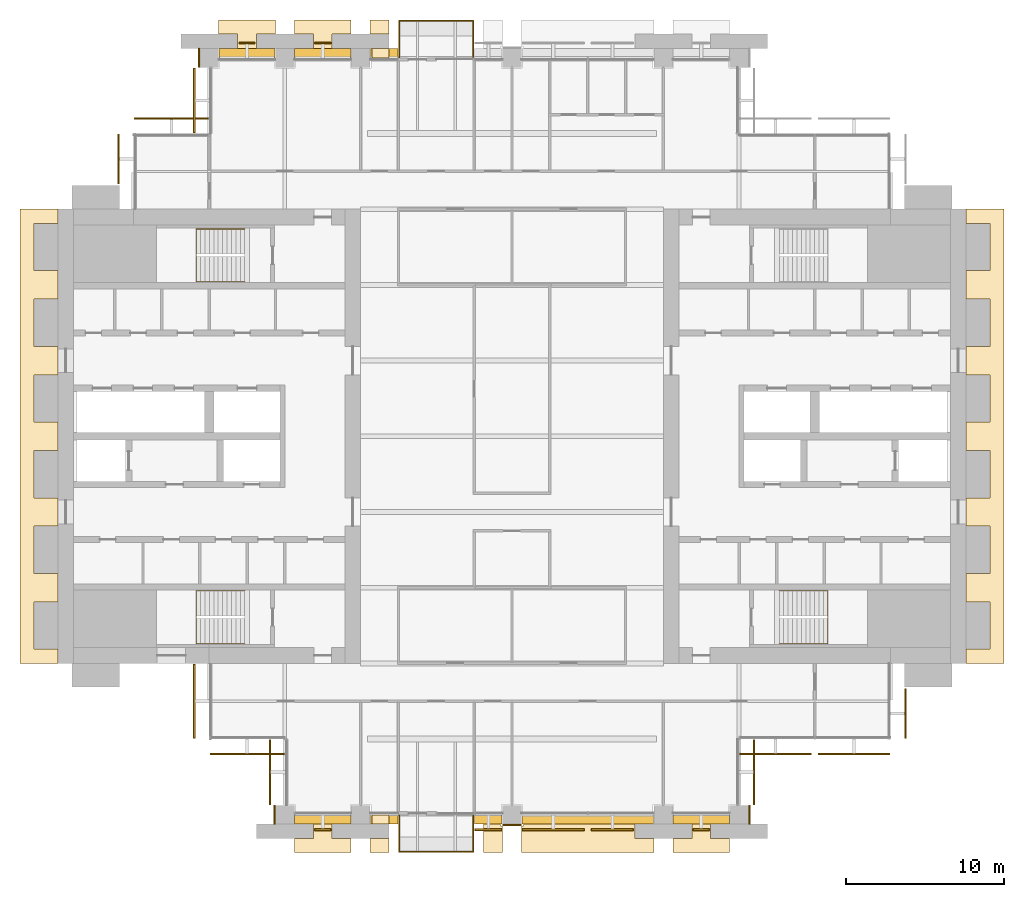
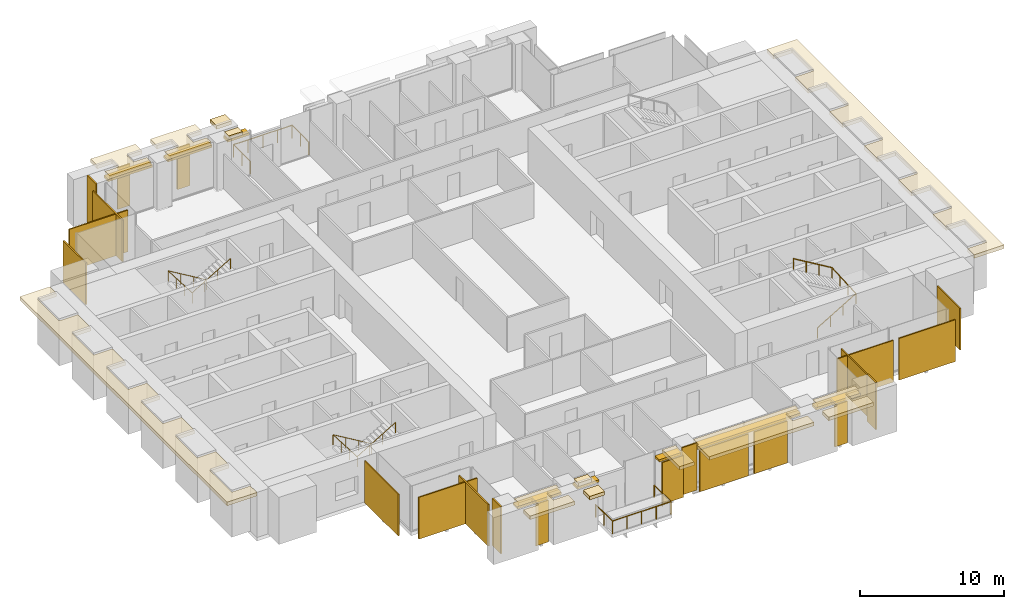
# One storey, part 14 of 15: 33 coverings, 8 shading devices, 5 railings.
"""IFC4 building model written with IfcOpenShell, lengths in metres."""

import ifcopenshell
import ifcopenshell.guid

model = None  # the IFC model being written
_history = None  # IfcOwnerHistory: only IFC2X3 demands one
_inside = {}  # id of a spatial element -> (the spatial element, [elements in it])
_under = {}  # id of a project, library or spatial element -> (it, [spatial elements below it])
_declared = {}  # id of a project -> (the project, [libraries it declares])
_typed = {}  # id of a type object -> (the type object, [elements of that type])
_made_of = {}  # id of a material, layer set ... -> (it, [elements and type objects made of it])


def new_model(schema):
    """Start an empty IFC model of exactly this schema.

    Asked for "IFC4X3", IfcOpenShell would pick the latest addendum, in which some entities
    have other attributes; the version numbers below select the first issue.
    IFC2X3 requires an IfcOwnerHistory on every rooted entity: one is made here for all.
    """
    global model, _history
    if schema == "IFC4X3":
        model = ifcopenshell.file(schema_version=(4, 3, 0, 0))
    else:
        model = ifcopenshell.file(schema=schema)
    _inside.clear()
    _under.clear()
    _declared.clear()
    _typed.clear()
    _made_of.clear()
    _history = None
    if model.schema == "IFC2X3":
        org = make("IfcOrganization", Name="unknown")
        user = make(
            "IfcPersonAndOrganization",
            ThePerson=make("IfcPerson", FamilyName="unknown"),
            TheOrganization=org,
        )
        app = make(
            "IfcApplication",
            ApplicationDeveloper=org,
            Version="unknown",
            ApplicationFullName="unknown",
            ApplicationIdentifier="unknown",
        )
        _history = make(
            "IfcOwnerHistory",
            OwningUser=user,
            OwningApplication=app,
            ChangeAction="ADDED",
            CreationDate=0,
        )
    return model


def make(cls, **values):
    """One entity of the class cls with the attributes given. An attribute that is None is left unset."""
    return model.create_entity(
        cls, **{name: value for name, value in values.items() if value is not None}
    )


def rooted(cls, **values):
    """An entity with a GlobalId (a new one), such as an element, a storey or a relation."""
    return make(cls, GlobalId=ifcopenshell.guid.new(), OwnerHistory=_history, **values)


def si_unit(unit_type, name, prefix=None):
    """IfcSIUnit, for example si_unit("LENGTHUNIT", "METRE", prefix="MILLI")."""
    return make("IfcSIUnit", UnitType=unit_type, Prefix=prefix, Name=name)


def assignment(units):
    """IfcUnitAssignment: the units of a project."""
    return None if units is None else make("IfcUnitAssignment", Units=units)


def point(xyz):
    """IfcCartesianPoint."""
    return None if xyz is None else make("IfcCartesianPoint", Coordinates=xyz)


def direction(xyz):
    """IfcDirection."""
    return None if xyz is None else make("IfcDirection", DirectionRatios=xyz)


def frame(location, z_axis=None, x_axis=None):
    """IfcAxis2Placement3D, a coordinate frame: its origin and axes. An axis left out is left unset."""
    return make(
        "IfcAxis2Placement3D",
        Location=point(location),
        Axis=direction(z_axis),
        RefDirection=direction(x_axis),
    )


def frame_2d(location, x_axis=None):
    """IfcAxis2Placement2D, a coordinate frame in the plane: its origin and x axis."""
    return make(
        "IfcAxis2Placement2D", Location=point(location), RefDirection=direction(x_axis)
    )


def origin():
    """The frame at (0, 0, 0) with its axes left unset."""
    return frame((0.0, 0.0, 0.0))


def origin_2d():
    """The frame at (0, 0) in the plane with its x axis left unset."""
    return frame_2d((0.0, 0.0))


def place(relative_to, where):
    """IfcLocalPlacement: puts the frame where relative to a parent placement (None: the world)."""
    return make(
        "IfcLocalPlacement", PlacementRelTo=relative_to, RelativePlacement=where
    )


def context(
    kind, dimensions, precision=None, world=None, true_north=None, identifier=None
):
    """IfcGeometricRepresentationContext, for example the 3D "Model" context."""
    return make(
        "IfcGeometricRepresentationContext",
        ContextIdentifier=identifier,
        ContextType=kind,
        CoordinateSpaceDimension=dimensions,
        Precision=precision,
        WorldCoordinateSystem=world,
        TrueNorth=true_north,
    )


def subcontext(parent, identifier, kind, view, scale=None):
    """IfcGeometricRepresentationSubContext, for example "Body" below "Model"."""
    return make(
        "IfcGeometricRepresentationSubContext",
        ContextIdentifier=identifier,
        ContextType=kind,
        ParentContext=parent,
        TargetScale=scale,
        TargetView=view,
    )


def project(units=None, contexts=None):
    """IfcProject with its units and contexts."""
    return rooted(
        "IfcProject",
        Name="project",
        RepresentationContexts=contexts,
        UnitsInContext=assignment(units),
    )


def spatial(cls, under=None, at=None, **own):
    """A site, building, storey or space (cls), placed at a placement, below another one or the project."""
    s = rooted(cls, ObjectPlacement=at, **own)
    if under is not None:
        _under.setdefault(under.id(), (under, []))[1].append(s)
    return s


def polyline(points):
    """IfcPolyline through the points."""
    return make("IfcPolyline", Points=[point(p) for p in points])


def profile(cls, at=None, kind="AREA", **sizes):
    """A parametric profile (cls). Its sizes go by their IFC names, for example OverallWidth=200.0."""
    return make(cls, ProfileType=kind, Position=at, **sizes)


def rectangle(**sizes):
    """IfcRectangleProfileDef."""
    return profile("IfcRectangleProfileDef", **sizes)


def circle(**sizes):
    """IfcCircleProfileDef."""
    return profile("IfcCircleProfileDef", **sizes)


def outline(outer, holes=None, kind="AREA"):
    """IfcArbitraryClosedProfileDef: a profile drawn as a closed curve; with holes, ...WithVoids."""
    if holes is None:
        return make("IfcArbitraryClosedProfileDef", ProfileType=kind, OuterCurve=outer)
    return make(
        "IfcArbitraryProfileDefWithVoids",
        ProfileType=kind,
        OuterCurve=outer,
        InnerCurves=holes,
    )


def extrude(swept, where, along, depth):
    """IfcExtrudedAreaSolid: the profile swept, set in the frame where, extruded along a direction by depth."""
    return make(
        "IfcExtrudedAreaSolid",
        SweptArea=swept,
        Position=where,
        ExtrudedDirection=direction(along),
        Depth=depth,
    )


def shape(context_of_items, identifier, shape_type, items):
    """IfcShapeRepresentation: the items that make up one representation, for example the "Body"."""
    return make(
        "IfcShapeRepresentation",
        ContextOfItems=context_of_items,
        RepresentationIdentifier=identifier,
        RepresentationType=shape_type,
        Items=items,
    )


def material(Name=None, Category=None):
    """IfcMaterial."""
    return make("IfcMaterial", Name=Name, Category=Category)


def layer(
    of_material, thickness, ventilated=None, Name=None, Category=None, Priority=None
):
    """IfcMaterialLayer: one layer of a wall or slab, of a material (None: an air gap)."""
    return make(
        "IfcMaterialLayer",
        Material=of_material,
        LayerThickness=thickness,
        IsVentilated=ventilated,
        Name=Name,
        Category=Category,
        Priority=Priority,
    )


def layer_set(layers, Name=None):
    """IfcMaterialLayerSet."""
    return make("IfcMaterialLayerSet", MaterialLayers=layers, LayerSetName=Name)


def made_of(thing, what):
    """Note that an element or type object is made of a material, layer set ...; save() writes the relation."""
    if what is not None:
        _made_of.setdefault(what.id(), (what, []))[1].append(thing)
    return thing


def type_object(cls, material=None, **own):
    """A type object (cls), such as IfcWallType, which elements share."""
    return made_of(rooted(cls, **own), material)


def element(
    cls,
    number,
    at=None,
    inside=None,
    cuts=None,
    type_object=None,
    material=None,
    context=None,
    identifier="Body",
    shape_type=None,
    held_by="IfcProductDefinitionShape",
    body=None,
    shapes=None,
    **own,
):
    """One element of the class cls, such as IfcWall. Its Tag is "e" and its number.

    at: its placement. inside: the storey or other place that contains it. cuts: it is an
    opening in that element (IfcRelVoidsElement). A single representation is given by context,
    identifier, shape_type and body (its items); several are given by shapes. held_by: the class
    of the entity that holds the representations. save() writes the other relations.
    """
    e = rooted(cls, Tag="e%d" % number, ObjectPlacement=at, **own)
    if body is not None:
        shapes = [shape(context, identifier, shape_type, body)]
    if shapes is not None:
        e.Representation = make(held_by, Representations=shapes)
    if inside is not None:
        _inside.setdefault(inside.id(), (inside, []))[1].append(e)
    if cuts is not None:
        rooted(
            "IfcRelVoidsElement", RelatingBuildingElement=cuts, RelatedOpeningElement=e
        )
    if type_object is not None:
        _typed.setdefault(type_object.id(), (type_object, []))[1].append(e)
    return made_of(e, material)


def aggregate(whole, parts):
    """IfcRelAggregates: a whole, such as a stair, and the parts it consists of."""
    return rooted("IfcRelAggregates", RelatingObject=whole, RelatedObjects=parts)


def save(model, path):
    """Write the relations noted so far, then the file.

    IfcRelAggregates (storeys below a building ...), IfcRelContainedInSpatialStructure (elements
    in a storey), IfcRelDefinesByType, IfcRelAssociatesMaterial and IfcRelDeclares: one each for
    every whole, place, type object, material and project.
    """
    for whole, parts in _under.values():
        aggregate(whole, parts)
    for where, things in _inside.values():
        rooted(
            "IfcRelContainedInSpatialStructure",
            RelatedElements=things,
            RelatingStructure=where,
        )
    for kind, things in _typed.values():
        rooted("IfcRelDefinesByType", RelatedObjects=things, RelatingType=kind)
    for what, things in _made_of.values():
        rooted("IfcRelAssociatesMaterial", RelatedObjects=things, RelatingMaterial=what)
    for by, libraries in _declared.values():
        rooted("IfcRelDeclares", RelatingContext=by, RelatedDefinitions=libraries)
    model.write(path)


model = new_model("IFC4")

# Units and contexts
model_context = context("Model", 3, precision=1e-05, world=origin(), true_north=direction((0.0, 1.0)))
body_context = subcontext(model_context, "Body", "Model", "MODEL_VIEW")
ifc_project = project(units=[si_unit("LENGTHUNIT", "METRE"), si_unit("AREAUNIT", "SQUARE_METRE"), si_unit("VOLUMEUNIT", "CUBIC_METRE"), si_unit("PLANEANGLEUNIT", "RADIAN"), si_unit("MASSUNIT", "GRAM", prefix="KILO")], contexts=[model_context])

# Site, building, storey
site_placement = place(None, origin())
site = spatial("IfcSite", under=ifc_project, at=site_placement, CompositionType="ELEMENT")
building_placement = place(site_placement, origin())
building = spatial("IfcBuilding", under=site, at=building_placement, Name="Baori Bourse Tower", CompositionType="ELEMENT")
storey_placement = place(building_placement, frame((0.0, 0.0, 104.10009765625)))
storey = spatial("IfcBuildingStorey", under=building, at=storey_placement, Name="L21", CompositionType="ELEMENT", Elevation=104.10009765625)

# Coverings
ifc_material_1 = material(Name="Pale anodised aluminium", Category="aluminium")
covering_type_1 = type_object("IfcCoveringType", Name="BD1 Pale metal band", PredefinedType="CLADDING", material=ifc_material_1)
covering_1_placement = place(storey_placement, frame((0.0, 0.0, 3.539794921875)))
element("IfcCovering", 1, at=covering_1_placement, inside=storey, type_object=covering_type_1, Name="Pale projecting band L21 1", PredefinedType="CLADDING", context=body_context, shape_type="SweptSolid", body=[
    extrude(outline(polyline([(57.60009765625, 10.5), (57.60009765625, 9.60009765625), (60.0, 9.60009765625), (60.0, 38.39990234375), (57.60009765625, 38.39990234375), (57.60009765625, 37.5), (59.10009765625, 37.5), (59.10009765625, 34.5), (57.60009765625, 34.5), (57.60009765625, 32.699951171875), (59.10009765625, 32.699951171875), (59.10009765625, 29.699951171875), (57.60009765625, 29.699951171875), (57.60009765625, 27.89990234375), (59.10009765625, 27.89990234375), (59.10009765625, 24.89990234375), (57.60009765625, 24.89990234375), (57.60009765625, 23.10009765625), (59.10009765625, 23.10009765625), (59.10009765625, 20.10009765625), (57.60009765625, 20.10009765625), (57.60009765625, 18.300048828125), (59.10009765625, 18.300048828125), (59.10009765625, 15.300048828125), (57.60009765625, 15.300048828125), (57.60009765625, 13.5), (59.10009765625, 13.5), (59.10009765625, 10.5), (57.60009765625, 10.5)])), origin(), (0.0, 0.0, 1.0), 0.300048828125),
])
covering_2_placement = place(storey_placement, frame((0.0, 0.0, 3.539794921875)))
element("IfcCovering", 2, at=covering_2_placement, inside=storey, type_object=covering_type_1, Name="Pale projecting band L21 5", PredefinedType="CLADDING", context=body_context, shape_type="SweptSolid", body=[
    extrude(outline(polyline([(19.800048828125, 50.39990234375), (19.800048828125, 49.5), (21.0, 49.5), (21.0, 50.39990234375), (19.800048828125, 50.39990234375)])), origin(), (0.0, 0.0, 1.0), 0.300048828125),
])
covering_3_placement = place(storey_placement, frame((0.0, 0.0, 3.539794921875)))
element("IfcCovering", 3, at=covering_3_placement, inside=storey, type_object=covering_type_1, Name="Pale projecting band L21 6", PredefinedType="CLADDING", context=body_context, shape_type="SweptSolid", body=[
    extrude(outline(polyline([(19.919921875, 48.0), (21.0, 48.0), (21.0, 48.60009765625), (19.919921875, 48.60009765625), (19.919921875, 48.0)])), origin(), (0.0, 0.0, 1.0), 0.300048828125),
])
covering_4_placement = place(storey_placement, frame((0.0, 0.0, 3.539794921875)))
element("IfcCovering", 4, at=covering_4_placement, inside=storey, type_object=covering_type_1, Name="Pale projecting band L21 7", PredefinedType="CLADDING", context=body_context, shape_type="SweptSolid", body=[
    extrude(outline(polyline([(15.1201171875, 48.0), (18.47998046875, 48.0), (18.47998046875, 48.60009765625), (17.39990234375, 48.60009765625), (17.39990234375, 49.5), (18.60009765625, 49.5), (18.60009765625, 50.39990234375), (15.0, 50.39990234375), (15.0, 49.5), (16.199951171875, 49.5), (16.199951171875, 48.60009765625), (15.1201171875, 48.60009765625), (15.1201171875, 48.0)])), origin(), (0.0, 0.0, 1.0), 0.300048828125),
])
covering_5_placement = place(storey_placement, frame((0.0, 0.0, 3.539794921875)))
element("IfcCovering", 5, at=covering_5_placement, inside=storey, type_object=covering_type_1, Name="Pale projecting band L21 8", PredefinedType="CLADDING", context=body_context, shape_type="SweptSolid", body=[
    extrude(outline(polyline([(10.320068359375, 48.0), (13.679931640625, 48.0), (13.679931640625, 48.60009765625), (12.60009765625, 48.60009765625), (12.60009765625, 49.5), (13.800048828125, 49.5), (13.800048828125, 50.39990234375), (10.199951171875, 50.39990234375), (10.199951171875, 49.5), (11.39990234375, 49.5), (11.39990234375, 48.60009765625), (10.320068359375, 48.60009765625), (10.320068359375, 48.0)])), origin(), (0.0, 0.0, 1.0), 0.300048828125),
])
covering_6_placement = place(storey_placement, frame((0.0, 0.0, 3.539794921875)))
element("IfcCovering", 6, at=covering_6_placement, inside=storey, type_object=covering_type_1, Name="Pale projecting band L21 9", PredefinedType="CLADDING", context=body_context, shape_type="SweptSolid", body=[
    extrude(outline(polyline([(0.0, 37.5), (0.0, 38.39990234375), (-2.39990234375, 38.39990234375), (-2.39990234375, 9.60009765625), (0.0, 9.60009765625), (0.0, 10.5), (-1.5, 10.5), (-1.5, 13.5), (0.0, 13.5), (0.0, 15.300048828125), (-1.5, 15.300048828125), (-1.5, 18.300048828125), (0.0, 18.300048828125), (0.0, 20.10009765625), (-1.5, 20.10009765625), (-1.5, 23.10009765625), (0.0, 23.10009765625), (0.0, 24.89990234375), (-1.5, 24.89990234375), (-1.5, 27.89990234375), (0.0, 27.89990234375), (0.0, 29.699951171875), (-1.5, 29.699951171875), (-1.5, 32.699951171875), (0.0, 32.699951171875), (0.0, 34.5), (-1.5, 34.5), (-1.5, 37.5), (0.0, 37.5)])), origin(), (0.0, 0.0, 1.0), 0.300048828125),
])
covering_7_placement = place(storey_placement, frame((0.0, 0.0, 3.539794921875)))
element("IfcCovering", 7, at=covering_7_placement, inside=storey, type_object=covering_type_1, Name="Pale projecting band L21 10", PredefinedType="CLADDING", context=body_context, shape_type="SweptSolid", body=[
    extrude(outline(polyline([(18.47998046875, 0.0), (15.1201171875, 0.0), (15.1201171875, -0.60009765625), (16.199951171875, -0.60009765625), (16.199951171875, -1.5), (15.0, -1.5), (15.0, -2.39990234375), (18.60009765625, -2.39990234375), (18.60009765625, -1.5), (17.39990234375, -1.5), (17.39990234375, -0.60009765625), (18.47998046875, -0.60009765625), (18.47998046875, 0.0)])), origin(), (0.0, 0.0, 1.0), 0.300048828125),
])
covering_8_placement = place(storey_placement, frame((0.0, 0.0, 3.539794921875)))
element("IfcCovering", 8, at=covering_8_placement, inside=storey, type_object=covering_type_1, Name="Pale projecting band L21 11", PredefinedType="CLADDING", context=body_context, shape_type="SweptSolid", body=[
    extrude(outline(polyline([(19.800048828125, -2.39990234375), (21.0, -2.39990234375), (21.0, -1.5), (19.800048828125, -1.5), (19.800048828125, -2.39990234375)])), origin(), (0.0, 0.0, 1.0), 0.300048828125),
])
covering_9_placement = place(storey_placement, frame((0.0, 0.0, 3.539794921875)))
element("IfcCovering", 9, at=covering_9_placement, inside=storey, type_object=covering_type_1, Name="Pale projecting band L21 12", PredefinedType="CLADDING", context=body_context, shape_type="SweptSolid", body=[
    extrude(outline(polyline([(21.0, 0.0), (19.919921875, 0.0), (19.919921875, -0.60009765625), (21.0, -0.60009765625), (21.0, 0.0)])), origin(), (0.0, 0.0, 1.0), 0.300048828125),
])
covering_10_placement = place(storey_placement, frame((0.0, 0.0, 3.539794921875)))
element("IfcCovering", 10, at=covering_10_placement, inside=storey, type_object=covering_type_1, Name="Pale projecting band L21 13", PredefinedType="CLADDING", context=body_context, shape_type="SweptSolid", body=[
    extrude(outline(polyline([(28.080078125, 0.0), (27.0, 0.0), (27.0, -2.39990234375), (28.199951171875, -2.39990234375), (28.199951171875, -0.719970703125), (28.080078125, -0.719970703125), (28.080078125, 0.0)])), origin(), (0.0, 0.0, 1.0), 0.300048828125),
])
covering_11_placement = place(storey_placement, frame((0.0, 0.0, 3.539794921875)))
element("IfcCovering", 11, at=covering_11_placement, inside=storey, type_object=covering_type_1, Name="Pale projecting band L21 14", PredefinedType="CLADDING", context=body_context, shape_type="SweptSolid", body=[
    extrude(outline(polyline([(37.679931640625, 0.0), (29.52001953125, 0.0), (29.52001953125, -0.719970703125), (29.39990234375, -0.719970703125), (29.39990234375, -2.39990234375), (37.800048828125, -2.39990234375), (37.800048828125, -1.5), (36.60009765625, -1.5), (36.60009765625, -0.60009765625), (37.679931640625, -0.60009765625), (37.679931640625, 0.0)])), origin(), (0.0, 0.0, 1.0), 0.300048828125),
])
covering_12_placement = place(storey_placement, frame((0.0, 0.0, 3.539794921875)))
element("IfcCovering", 12, at=covering_12_placement, inside=storey, type_object=covering_type_1, Name="Pale projecting band L21 15", PredefinedType="CLADDING", context=body_context, shape_type="SweptSolid", body=[
    extrude(outline(polyline([(42.47998046875, 0.0), (39.1201171875, 0.0), (39.1201171875, -0.60009765625), (40.199951171875, -0.60009765625), (40.199951171875, -1.5), (39.0, -1.5), (39.0, -2.39990234375), (42.60009765625, -2.39990234375), (42.60009765625, -1.5), (41.39990234375, -1.5), (41.39990234375, -0.60009765625), (42.47998046875, -0.60009765625), (42.47998046875, 0.0)])), origin(), (0.0, 0.0, 1.0), 0.300048828125),
])

# Shading devices
ifc_material_2 = material(Name="Concrete f'c 40 MPa", Category="concrete")
ifc_layer_1 = layer(ifc_material_2, 0.199951171875)
ifc_layer_set_1 = layer_set([ifc_layer_1], Name="BS1 Brise-soleil ledge")
shading_device_type = type_object("IfcShadingDeviceType", Name="BS1 Brise-soleil ledge", PredefinedType="USERDEFINED", material=ifc_layer_set_1)
shading_device_1_placement = place(storey_placement, frame((20.699951171875, 48.300048828125, 3.33984375), z_axis=(0.0, 0.0, 1.0), x_axis=(-1.0, 0.0, 0.0)))
element("IfcShadingDevice", 13, at=shading_device_1_placement, inside=storey, type_object=shading_device_type, Name="Brise-soleil ledge L21 4", ObjectType="BRISE SOLEIL", PredefinedType="USERDEFINED", context=body_context, shape_type="SweptSolid", body=[
    extrude(rectangle(XDim=1.760009765625, YDim=0.60009765625, at=origin_2d()), origin(), (0.0, 0.0, 1.0), 0.199951171875),
])
for number, where, z_axis, x_axis, name in (
    (14, (16.800048828125, 48.300048828125, 3.33984375), (0.0, 0.0, 1.0), (-1.0, 0.0, 0.0), "Brise-soleil ledge L21 5"),
    (15, (12.0, 48.300048828125, 3.33984375), (0.0, 0.0, 1.0), (-1.0, 0.0, 0.0), "Brise-soleil ledge L21 6"),
    (16, (16.800048828125, -0.300048828125, 3.33984375), (0.0, 0.0, 1.0), (1.0, 0.0, 0.0), "Brise-soleil ledge L21 7"),
):
    element("IfcShadingDevice", number, at=place(storey_placement, frame(where, z_axis=z_axis, x_axis=x_axis)), inside=storey, type_object=shading_device_type, Name=name, ObjectType="BRISE SOLEIL", PredefinedType="USERDEFINED", context=body_context, shape_type="SweptSolid", body=[
        extrude(rectangle(XDim=3.56005859375, YDim=0.60009765625, at=origin_2d()), origin(), (0.0, 0.0, 1.0), 0.199951171875),
    ])
for number, where, z_axis, x_axis, name in (
    (17, (20.699951171875, -0.300048828125, 3.33984375), (0.0, 0.0, 1.0), (1.0, 0.0, 0.0), "Brise-soleil ledge L21 8"),
    (18, (27.300048828125, -0.300048828125, 3.33984375), (0.0, 0.0, 1.0), (1.0, 0.0, 0.0), "Brise-soleil ledge L21 9"),
):
    element("IfcShadingDevice", number, at=place(storey_placement, frame(where, z_axis=z_axis, x_axis=x_axis)), inside=storey, type_object=shading_device_type, Name=name, ObjectType="BRISE SOLEIL", PredefinedType="USERDEFINED", context=body_context, shape_type="SweptSolid", body=[
        extrude(rectangle(XDim=1.760009765625, YDim=0.60009765625, at=origin_2d()), origin(), (0.0, 0.0, 1.0), 0.199951171875),
    ])
shading_device_2_placement = place(storey_placement, frame((33.60009765625, -0.300048828125, 3.33984375), z_axis=(0.0, 0.0, 1.0), x_axis=(1.0, 0.0, 0.0)))
element("IfcShadingDevice", 19, at=shading_device_2_placement, inside=storey, type_object=shading_device_type, Name="Brise-soleil ledge L21 10", ObjectType="BRISE SOLEIL", PredefinedType="USERDEFINED", context=body_context, shape_type="SweptSolid", body=[
    extrude(rectangle(XDim=8.360107421875, YDim=0.60009765625, at=origin_2d()), origin(), (0.0, 0.0, 1.0), 0.199951171875),
])
shading_device_3_placement = place(storey_placement, frame((40.800048828125, -0.300048828125, 3.33984375), z_axis=(0.0, 0.0, 1.0), x_axis=(1.0, 0.0, 0.0)))
element("IfcShadingDevice", 20, at=shading_device_3_placement, inside=storey, type_object=shading_device_type, Name="Brise-soleil ledge L21 11", ObjectType="BRISE SOLEIL", PredefinedType="USERDEFINED", context=body_context, shape_type="SweptSolid", body=[
    extrude(rectangle(XDim=3.56005859375, YDim=0.60009765625, at=origin_2d()), origin(), (0.0, 0.0, 1.0), 0.199951171875),
])

# Railings
ifc_material_3 = material(Name="Powder-coated steel balustrade", Category="steel")
railing_type_1 = type_object("IfcRailingType", Name="Core stair handrail", PredefinedType="HANDRAIL", material=ifc_material_3)
railing_1_placement = place(storey_placement, frame((11.85009765625, 14.199951171875, 0.16650390625)))
element("IfcRailing", 21, at=railing_1_placement, inside=storey, type_object=railing_type_1, Name="L21 ST1 stair handrail 1", PredefinedType="HANDRAIL", context=body_context, shape_type="SweptSolid", body=[
    extrude(circle(Radius=0.02392578125, at=origin_2d()), frame((0.0, 0.0, 0.8759765625), z_axis=(-0.85927862911, 0.0, 0.511507807912), x_axis=(0.0, -1.0, 0.0)), (0.0, 0.0, 1.0), 3.58447265625),
    extrude(circle(Radius=0.02392578125, at=origin_2d()), frame((-3.080078125, 0.0, 2.70947265625), z_axis=(0.0, -0.998766999029, 0.049643545903), x_axis=(1.0, 0.0, 0.0)), (0.0, 0.0, 1.0), 3.35400390625),
    extrude(circle(Radius=0.02392578125, at=origin_2d()), frame((-3.080078125, -3.349853515625, 2.8759765625), z_axis=(0.85927862911, 0.0, 0.511507807912), x_axis=(0.0, 1.0, 0.0)), (0.0, 0.0, 1.0), 3.58447265625),
    extrude(circle(Radius=0.02099609375, at=origin_2d()), origin(), (0.0, 0.0, 1.0), 0.851806640625),
    extrude(circle(Radius=0.02099609375, at=origin_2d()), frame((-1.026611328125, 0.0, 0.611083984375)), (0.0, 0.0, 1.0), 0.851806640625),
    extrude(circle(Radius=0.02099609375, at=origin_2d()), frame((-2.053466796875, 0.0, 1.222412109375)), (0.0, 0.0, 1.0), 0.851806640625),
    extrude(circle(Radius=0.02099609375, at=origin_2d()), frame((-3.080078125, 0.0, 1.83349609375)), (0.0, 0.0, 1.0), 0.851806640625),
    extrude(circle(Radius=0.02099609375, at=origin_2d()), frame((-3.080078125, -1.11669921875, 1.888916015625)), (0.0, 0.0, 1.0), 0.851806640625),
    extrude(circle(Radius=0.02099609375, at=origin_2d()), frame((-3.080078125, -2.233154296875, 1.944580078125)), (0.0, 0.0, 1.0), 0.851806640625),
    extrude(circle(Radius=0.02099609375, at=origin_2d()), frame((-3.080078125, -3.349853515625, 2.0)), (0.0, 0.0, 1.0), 0.851806640625),
    extrude(circle(Radius=0.02099609375, at=origin_2d()), frame((-2.053466796875, -3.349853515625, 2.611083984375)), (0.0, 0.0, 1.0), 0.851806640625),
    extrude(circle(Radius=0.02099609375, at=origin_2d()), frame((-1.026611328125, -3.349853515625, 3.222412109375)), (0.0, 0.0, 1.0), 0.851806640625),
    extrude(circle(Radius=0.02099609375, at=origin_2d()), frame((0.0, -3.349853515625, 3.83349609375)), (0.0, 0.0, 1.0), 0.851806640625),
])
railing_2_placement = place(storey_placement, frame((11.85009765625, 37.14990234375, 0.16650390625)))
element("IfcRailing", 22, at=railing_2_placement, inside=storey, type_object=railing_type_1, Name="L21 ST2 stair handrail 1", PredefinedType="HANDRAIL", context=body_context, shape_type="SweptSolid", body=[
    extrude(circle(Radius=0.02392578125, at=origin_2d()), frame((0.0, 0.0, 0.8759765625), z_axis=(-0.85927862911, 0.0, 0.511507807912), x_axis=(0.0, -1.0, 0.0)), (0.0, 0.0, 1.0), 3.58447265625),
    extrude(circle(Radius=0.02392578125, at=origin_2d()), frame((-3.080078125, 0.0, 2.70947265625), z_axis=(0.0, -0.998766999029, 0.049643545903), x_axis=(1.0, 0.0, 0.0)), (0.0, 0.0, 1.0), 3.35400390625),
    extrude(circle(Radius=0.02392578125, at=origin_2d()), frame((-3.080078125, -3.349853515625, 2.8759765625), z_axis=(0.85927862911, 0.0, 0.511507807912), x_axis=(0.0, 1.0, 0.0)), (0.0, 0.0, 1.0), 3.58447265625),
    extrude(circle(Radius=0.02099609375, at=origin_2d()), origin(), (0.0, 0.0, 1.0), 0.851806640625),
    extrude(circle(Radius=0.02099609375, at=origin_2d()), frame((-1.026611328125, 0.0, 0.611083984375)), (0.0, 0.0, 1.0), 0.851806640625),
    extrude(circle(Radius=0.02099609375, at=origin_2d()), frame((-2.053466796875, 0.0, 1.222412109375)), (0.0, 0.0, 1.0), 0.851806640625),
    extrude(circle(Radius=0.02099609375, at=origin_2d()), frame((-3.080078125, 0.0, 1.83349609375)), (0.0, 0.0, 1.0), 0.851806640625),
    extrude(circle(Radius=0.02099609375, at=origin_2d()), frame((-3.080078125, -1.11669921875, 1.888916015625)), (0.0, 0.0, 1.0), 0.851806640625),
    extrude(circle(Radius=0.02099609375, at=origin_2d()), frame((-3.080078125, -2.233154296875, 1.944580078125)), (0.0, 0.0, 1.0), 0.851806640625),
    extrude(circle(Radius=0.02099609375, at=origin_2d()), frame((-3.080078125, -3.349853515625, 2.0)), (0.0, 0.0, 1.0), 0.851806640625),
    extrude(circle(Radius=0.02099609375, at=origin_2d()), frame((-2.053466796875, -3.349853515625, 2.611083984375)), (0.0, 0.0, 1.0), 0.851806640625),
    extrude(circle(Radius=0.02099609375, at=origin_2d()), frame((-1.026611328125, -3.349853515625, 3.222412109375)), (0.0, 0.0, 1.0), 0.851806640625),
    extrude(circle(Radius=0.02099609375, at=origin_2d()), frame((0.0, -3.349853515625, 3.83349609375)), (0.0, 0.0, 1.0), 0.851806640625),
])
railing_3_placement = place(storey_placement, frame((45.75, 10.85009765625, 0.16650390625)))
element("IfcRailing", 23, at=railing_3_placement, inside=storey, type_object=railing_type_1, Name="L21 ST3 stair handrail 1", PredefinedType="HANDRAIL", context=body_context, shape_type="SweptSolid", body=[
    extrude(circle(Radius=0.02392578125, at=origin_2d()), frame((0.0, 0.0, 0.8759765625), z_axis=(0.85927862911, 0.0, 0.511507807912), x_axis=(0.0, 1.0, 0.0)), (0.0, 0.0, 1.0), 3.58447265625),
    extrude(circle(Radius=0.02392578125, at=origin_2d()), frame((3.080078125, 0.0, 2.70947265625), z_axis=(0.0, 0.998766999029, 0.049643545903), x_axis=(-1.0, 0.0, 0.0)), (0.0, 0.0, 1.0), 3.35400390625),
    extrude(circle(Radius=0.02392578125, at=origin_2d()), frame((3.080078125, 3.349853515625, 2.8759765625), z_axis=(-0.85927862911, 0.0, 0.511507807912), x_axis=(0.0, -1.0, 0.0)), (0.0, 0.0, 1.0), 3.58447265625),
    extrude(circle(Radius=0.02099609375, at=origin_2d()), origin(), (0.0, 0.0, 1.0), 0.851806640625),
    extrude(circle(Radius=0.02099609375, at=origin_2d()), frame((1.026611328125, 0.0, 0.611083984375)), (0.0, 0.0, 1.0), 0.851806640625),
    extrude(circle(Radius=0.02099609375, at=origin_2d()), frame((2.053466796875, 0.0, 1.222412109375)), (0.0, 0.0, 1.0), 0.851806640625),
    extrude(circle(Radius=0.02099609375, at=origin_2d()), frame((3.080078125, 0.0, 1.83349609375)), (0.0, 0.0, 1.0), 0.851806640625),
    extrude(circle(Radius=0.02099609375, at=origin_2d()), frame((3.080078125, 1.11669921875, 1.888916015625)), (0.0, 0.0, 1.0), 0.851806640625),
    extrude(circle(Radius=0.02099609375, at=origin_2d()), frame((3.080078125, 2.233154296875, 1.944580078125)), (0.0, 0.0, 1.0), 0.851806640625),
    extrude(circle(Radius=0.02099609375, at=origin_2d()), frame((3.080078125, 3.349853515625, 2.0)), (0.0, 0.0, 1.0), 0.851806640625),
    extrude(circle(Radius=0.02099609375, at=origin_2d()), frame((2.053466796875, 3.349853515625, 2.611083984375)), (0.0, 0.0, 1.0), 0.851806640625),
    extrude(circle(Radius=0.02099609375, at=origin_2d()), frame((1.026611328125, 3.349853515625, 3.222412109375)), (0.0, 0.0, 1.0), 0.851806640625),
    extrude(circle(Radius=0.02099609375, at=origin_2d()), frame((0.0, 3.349853515625, 3.83349609375)), (0.0, 0.0, 1.0), 0.851806640625),
])
ifc_material_4 = material(Name="Stainless steel", Category="steel")
railing_type_2 = type_object("IfcRailingType", Name="GD1 Guard", PredefinedType="GUARDRAIL", material=ifc_material_4)
railing_4_placement = place(storey_placement, frame((21.64990234375, -0.030029296875, 0.0)))
element("IfcRailing", 24, at=railing_4_placement, inside=storey, type_object=railing_type_2, Name="Guard balcony S L21 1", PredefinedType="GUARDRAIL", context=body_context, shape_type="SweptSolid", body=[
    extrude(circle(Radius=0.02392578125, at=origin_2d()), frame((0.0, 0.0, 1.076171875), z_axis=(0.0, -1.0, 0.0), x_axis=(1.0, 0.0, 0.0)), (0.0, 0.0, 1.0), 2.320068359375),
    extrude(circle(Radius=0.02392578125, at=origin_2d()), frame((0.0, -2.320068359375, 1.076171875), z_axis=(1.0, 0.0, 0.0), x_axis=(0.0, 1.0, 0.0)), (0.0, 0.0, 1.0), 4.7001953125),
    extrude(circle(Radius=0.02392578125, at=origin_2d()), frame((4.7001953125, -2.320068359375, 1.076171875), z_axis=(0.0, 1.0, 0.0), x_axis=(-1.0, 0.0, 0.0)), (0.0, 0.0, 1.0), 2.320068359375),
    extrude(circle(Radius=0.02099609375, at=origin_2d()), origin(), (0.0, 0.0, 1.0), 1.052001953125),
    extrude(circle(Radius=0.02099609375, at=origin_2d()), frame((0.0, -1.16015625, 0.0)), (0.0, 0.0, 1.0), 1.052001953125),
    extrude(circle(Radius=0.02099609375, at=origin_2d()), frame((0.0, -2.320068359375, 0.0)), (0.0, 0.0, 1.0), 1.052001953125),
    extrude(circle(Radius=0.02099609375, at=origin_2d()), frame((1.175048828125, -2.320068359375, 0.0)), (0.0, 0.0, 1.0), 1.052001953125),
    extrude(circle(Radius=0.02099609375, at=origin_2d()), frame((2.35009765625, -2.320068359375, 0.0)), (0.0, 0.0, 1.0), 1.052001953125),
    extrude(circle(Radius=0.02099609375, at=origin_2d()), frame((3.525146484375, -2.320068359375, 0.0)), (0.0, 0.0, 1.0), 1.052001953125),
    extrude(circle(Radius=0.02099609375, at=origin_2d()), frame((4.7001953125, -2.320068359375, 0.0)), (0.0, 0.0, 1.0), 1.052001953125),
    extrude(circle(Radius=0.02099609375, at=origin_2d()), frame((4.7001953125, -1.16015625, 0.0)), (0.0, 0.0, 1.0), 1.052001953125),
    extrude(circle(Radius=0.02099609375, at=origin_2d()), frame((4.7001953125, 0.0, 0.0)), (0.0, 0.0, 1.0), 1.052001953125),
])
railing_5_placement = place(storey_placement, frame((21.64990234375, 48.030029296875, 0.0)))
element("IfcRailing", 25, at=railing_5_placement, inside=storey, type_object=railing_type_2, Name="Guard balcony N L21 2", PredefinedType="GUARDRAIL", context=body_context, shape_type="SweptSolid", body=[
    extrude(circle(Radius=0.02392578125, at=origin_2d()), frame((0.0, 0.0, 1.076171875), z_axis=(0.0, 1.0, 0.0), x_axis=(-1.0, 0.0, 0.0)), (0.0, 0.0, 1.0), 2.320068359375),
    extrude(circle(Radius=0.02392578125, at=origin_2d()), frame((0.0, 2.320068359375, 1.076171875), z_axis=(1.0, 0.0, 0.0), x_axis=(0.0, 1.0, 0.0)), (0.0, 0.0, 1.0), 4.7001953125),
    extrude(circle(Radius=0.02392578125, at=origin_2d()), frame((4.7001953125, 2.320068359375, 1.076171875), z_axis=(0.0, -1.0, 0.0), x_axis=(1.0, 0.0, 0.0)), (0.0, 0.0, 1.0), 2.320068359375),
    extrude(circle(Radius=0.02099609375, at=origin_2d()), origin(), (0.0, 0.0, 1.0), 1.052001953125),
    extrude(circle(Radius=0.02099609375, at=origin_2d()), frame((0.0, 1.16015625, 0.0)), (0.0, 0.0, 1.0), 1.052001953125),
    extrude(circle(Radius=0.02099609375, at=origin_2d()), frame((0.0, 2.320068359375, 0.0)), (0.0, 0.0, 1.0), 1.052001953125),
    extrude(circle(Radius=0.02099609375, at=origin_2d()), frame((1.175048828125, 2.320068359375, 0.0)), (0.0, 0.0, 1.0), 1.052001953125),
    extrude(circle(Radius=0.02099609375, at=origin_2d()), frame((2.35009765625, 2.320068359375, 0.0)), (0.0, 0.0, 1.0), 1.052001953125),
    extrude(circle(Radius=0.02099609375, at=origin_2d()), frame((3.525146484375, 2.320068359375, 0.0)), (0.0, 0.0, 1.0), 1.052001953125),
    extrude(circle(Radius=0.02099609375, at=origin_2d()), frame((4.7001953125, 2.320068359375, 0.0)), (0.0, 0.0, 1.0), 1.052001953125),
    extrude(circle(Radius=0.02099609375, at=origin_2d()), frame((4.7001953125, 1.16015625, 0.0)), (0.0, 0.0, 1.0), 1.052001953125),
    extrude(circle(Radius=0.02099609375, at=origin_2d()), frame((4.7001953125, 0.0, 0.0)), (0.0, 0.0, 1.0), 1.052001953125),
])

# Coverings
ifc_material_5 = material(Name="Pale anodised aluminium", Category="aluminium")
ifc_layer_2 = layer(ifc_material_5, 0.10009765625)
ifc_layer_set_2 = layer_set([ifc_layer_2], Name="OS3 Outer skin screen panel")
covering_type_2 = type_object("IfcCoveringType", Name="OS3 Outer skin screen panel", PredefinedType="CLADDING", material=ifc_layer_set_2)
covering_13_placement = place(storey_placement, origin())
element("IfcCovering", 26, at=covering_13_placement, inside=storey, type_object=covering_type_2, Name="Outer skin screen L21 9", PredefinedType="CLADDING", context=body_context, shape_type="SweptSolid", body=[
    extrude(outline(polyline([(16.300048828125, 48.89990234375), (17.300048828125, 48.89990234375), (17.300048828125, 49.0), (16.300048828125, 49.0), (16.300048828125, 48.89990234375)])), origin(), (0.0, 0.0, 1.0), 3.539794921875),
])
covering_14_placement = place(storey_placement, origin())
element("IfcCovering", 27, at=covering_14_placement, inside=storey, type_object=covering_type_2, Name="Outer skin screen L21 10", PredefinedType="CLADDING", context=body_context, shape_type="SweptSolid", body=[
    extrude(outline(polyline([(11.5, 48.89990234375), (12.5, 48.89990234375), (12.5, 49.0), (11.5, 49.0), (11.5, 48.89990234375)])), origin(), (0.0, 0.0, 1.0), 3.539794921875),
])
covering_15_placement = place(storey_placement, origin())
element("IfcCovering", 28, at=covering_15_placement, inside=storey, type_object=covering_type_2, Name="Outer skin screen L21 11", PredefinedType="CLADDING", context=body_context, shape_type="SweptSolid", body=[
    extrude(outline(polyline([(8.699951171875, 43.25), (8.699951171875, 47.35009765625), (8.60009765625, 47.35009765625), (8.60009765625, 43.25), (8.699951171875, 43.25)])), origin(), (0.0, 0.0, 1.0), 3.539794921875),
])
covering_16_placement = place(storey_placement, origin())
element("IfcCovering", 29, at=covering_16_placement, inside=storey, type_object=covering_type_2, Name="Outer skin screen L21 12", PredefinedType="CLADDING", context=body_context, shape_type="SweptSolid", body=[
    extrude(outline(polyline([(4.85009765625, 44.10009765625), (9.550048828125, 44.10009765625), (9.550048828125, 44.199951171875), (4.85009765625, 44.199951171875), (4.85009765625, 44.10009765625)])), origin(), (0.0, 0.0, 1.0), 3.539794921875),
])
covering_17_placement = place(storey_placement, origin())
element("IfcCovering", 30, at=covering_17_placement, inside=storey, type_object=covering_type_2, Name="Outer skin screen L21 13", PredefinedType="CLADDING", context=body_context, shape_type="SweptSolid", body=[
    extrude(outline(polyline([(3.89990234375, 40.0), (3.89990234375, 43.14990234375), (3.800048828125, 43.14990234375), (3.800048828125, 40.0), (3.89990234375, 40.0), (3.89990234375, 40.0)])), origin(), (0.0, 0.0, 1.0), 3.539794921875),
])
covering_18_placement = place(storey_placement, origin())
element("IfcCovering", 31, at=covering_18_placement, inside=storey, type_object=covering_type_2, Name="Outer skin screen L21 14", PredefinedType="CLADDING", context=body_context, shape_type="SweptSolid", body=[
    extrude(outline(polyline([(8.699951171875, 4.85009765625), (8.699951171875, 9.550048828125), (8.60009765625, 9.550048828125), (8.60009765625, 4.85009765625), (8.699951171875, 4.85009765625)])), origin(), (0.0, 0.0, 1.0), 3.539794921875),
])
covering_19_placement = place(storey_placement, origin())
element("IfcCovering", 32, at=covering_19_placement, inside=storey, type_object=covering_type_2, Name="Outer skin screen L21 15", PredefinedType="CLADDING", context=body_context, shape_type="SweptSolid", body=[
    extrude(outline(polyline([(14.35009765625, 3.89990234375), (9.64990234375, 3.89990234375), (9.64990234375, 3.800048828125), (14.35009765625, 3.800048828125), (14.35009765625, 3.89990234375)])), origin(), (0.0, 0.0, 1.0), 3.539794921875),
])
covering_20_placement = place(storey_placement, origin())
element("IfcCovering", 33, at=covering_20_placement, inside=storey, type_object=covering_type_2, Name="Outer skin screen L21 16", PredefinedType="CLADDING", context=body_context, shape_type="SweptSolid", body=[
    extrude(outline(polyline([(13.5, 0.64990234375), (13.5, 4.75), (13.39990234375, 4.75), (13.39990234375, 0.64990234375), (13.5, 0.64990234375)])), origin(), (0.0, 0.0, 1.0), 3.539794921875),
])
covering_21_placement = place(storey_placement, origin())
element("IfcCovering", 34, at=covering_21_placement, inside=storey, type_object=covering_type_2, Name="Outer skin screen L21 17", PredefinedType="CLADDING", context=body_context, shape_type="SweptSolid", body=[
    extrude(outline(polyline([(17.300048828125, -0.89990234375), (16.300048828125, -0.89990234375), (16.300048828125, -1.0), (17.300048828125, -1.0), (17.300048828125, -0.89990234375)])), origin(), (0.0, 0.0, 1.0), 3.539794921875),
])
covering_22_placement = place(storey_placement, origin())
element("IfcCovering", 35, at=covering_22_placement, inside=storey, type_object=covering_type_2, Name="Outer skin screen L21 18", PredefinedType="CLADDING", context=body_context, shape_type="SweptSolid", body=[
    extrude(outline(polyline([(28.14990234375, -0.89990234375), (26.449951171875, -0.89990234375), (26.449951171875, -1.0), (28.14990234375, -1.0), (28.14990234375, -0.89990234375)])), origin(), (0.0, 0.0, 1.0), 3.539794921875),
])
covering_23_placement = place(storey_placement, origin())
element("IfcCovering", 36, at=covering_23_placement, inside=storey, type_object=covering_type_2, Name="Outer skin screen L21 19", PredefinedType="CLADDING", context=body_context, shape_type="SweptSolid", body=[
    extrude(outline(polyline([(33.375, -0.89990234375), (29.449951171875, -0.89990234375), (29.449951171875, -1.0), (33.375, -1.0), (33.375, -0.89990234375)])), origin(), (0.0, 0.0, 1.0), 3.539794921875),
])
covering_24_placement = place(storey_placement, origin())
element("IfcCovering", 37, at=covering_24_placement, inside=storey, type_object=covering_type_2, Name="Outer skin screen L21 20", PredefinedType="CLADDING", context=body_context, shape_type="SweptSolid", body=[
    extrude(outline(polyline([(36.5, -0.89990234375), (33.824951171875, -0.89990234375), (33.824951171875, -1.0), (36.5, -1.0), (36.5, -0.89990234375)])), origin(), (0.0, 0.0, 1.0), 3.539794921875),
])
covering_25_placement = place(storey_placement, origin())
element("IfcCovering", 38, at=covering_25_placement, inside=storey, type_object=covering_type_2, Name="Outer skin screen L21 21", PredefinedType="CLADDING", context=body_context, shape_type="SweptSolid", body=[
    extrude(outline(polyline([(41.300048828125, -0.89990234375), (40.300048828125, -0.89990234375), (40.300048828125, -1.0), (41.300048828125, -1.0), (41.300048828125, -0.89990234375)])), origin(), (0.0, 0.0, 1.0), 3.539794921875),
])
covering_26_placement = place(storey_placement, origin())
element("IfcCovering", 39, at=covering_26_placement, inside=storey, type_object=covering_type_2, Name="Outer skin screen L21 22", PredefinedType="CLADDING", context=body_context, shape_type="SweptSolid", body=[
    extrude(outline(polyline([(44.10009765625, 4.75), (44.10009765625, 0.64990234375), (44.199951171875, 0.64990234375), (44.199951171875, 4.75), (44.10009765625, 4.75)])), origin(), (0.0, 0.0, 1.0), 3.539794921875),
])
covering_27_placement = place(storey_placement, origin())
element("IfcCovering", 40, at=covering_27_placement, inside=storey, type_object=covering_type_2, Name="Outer skin screen L21 23", PredefinedType="CLADDING", context=body_context, shape_type="SweptSolid", body=[
    extrude(outline(polyline([(47.77490234375, 3.89990234375), (43.25, 3.89990234375), (43.25, 3.800048828125), (47.77490234375, 3.800048828125), (47.77490234375, 3.89990234375)])), origin(), (0.0, 0.0, 1.0), 3.539794921875),
])
covering_28_placement = place(storey_placement, origin())
element("IfcCovering", 41, at=covering_28_placement, inside=storey, type_object=covering_type_2, Name="Outer skin screen L21 24", PredefinedType="CLADDING", context=body_context, shape_type="SweptSolid", body=[
    extrude(outline(polyline([(52.75, 3.89990234375), (48.22509765625, 3.89990234375), (48.22509765625, 3.800048828125), (52.75, 3.800048828125), (52.75, 3.89990234375)])), origin(), (0.0, 0.0, 1.0), 3.539794921875),
])
covering_29_placement = place(storey_placement, origin())
element("IfcCovering", 42, at=covering_29_placement, inside=storey, type_object=covering_type_2, Name="Outer skin screen L21 25", PredefinedType="CLADDING", context=body_context, shape_type="SweptSolid", body=[
    extrude(outline(polyline([(53.699951171875, 8.0), (53.699951171875, 4.85009765625), (53.800048828125, 4.85009765625), (53.800048828125, 8.0), (53.699951171875, 8.0)])), origin(), (0.0, 0.0, 1.0), 3.539794921875),
])
ifc_material_6 = material(Name="Face brick", Category="masonry")
ifc_layer_3 = layer(ifc_material_6, 0.110107421875)
ifc_layer_set_3 = layer_set([ifc_layer_3], Name="PC1 Brick pier facing")
covering_type_3 = type_object("IfcCoveringType", Name="PC1 Brick pier facing", PredefinedType="CLADDING", material=ifc_layer_set_3)
covering_30_placement = place(storey_placement, frame((13.7451171875, 0.0, 0.0), z_axis=(0.0, 0.0, 1.0), x_axis=(1.0, 0.0, 0.0)))
element("IfcCovering", 43, at=covering_30_placement, inside=storey, type_object=covering_type_3, Name="Brick pier facing L21 1", PredefinedType="CLADDING", context=body_context, shape_type="SweptSolid", body=[
    extrude(rectangle(XDim=0.110107421875, YDim=1.199951171875, at=origin_2d()), origin(), (0.0, 0.0, 1.0), 4.0),
])
covering_31_placement = place(storey_placement, frame((28.800048828125, -0.655029296875, 0.0), z_axis=(0.0, 0.0, 1.0), x_axis=(1.0, 0.0, 0.0)))
element("IfcCovering", 44, at=covering_31_placement, inside=storey, type_object=covering_type_3, Name="Brick pier facing L21 2", PredefinedType="CLADDING", context=body_context, shape_type="SweptSolid", body=[
    extrude(rectangle(XDim=1.199951171875, YDim=0.110107421875, at=origin_2d()), origin(), (0.0, 0.0, 1.0), 4.0),
])
for number, where, z_axis, x_axis, name in (
    (45, (43.85498046875, 0.0, 0.0), (0.0, 0.0, 1.0), (1.0, 0.0, 0.0), "Brick pier facing L21 3"),
    (46, (8.945068359375, 48.0, 0.0), (0.0, 0.0, 1.0), (1.0, 0.0, 0.0), "Brick pier facing L21 4"),
):
    element("IfcCovering", number, at=place(storey_placement, frame(where, z_axis=z_axis, x_axis=x_axis)), inside=storey, type_object=covering_type_3, Name=name, PredefinedType="CLADDING", context=body_context, shape_type="SweptSolid", body=[
        extrude(rectangle(XDim=0.110107421875, YDim=1.199951171875, at=origin_2d()), origin(), (0.0, 0.0, 1.0), 4.0),
    ])

save(model, "model.ifc")
